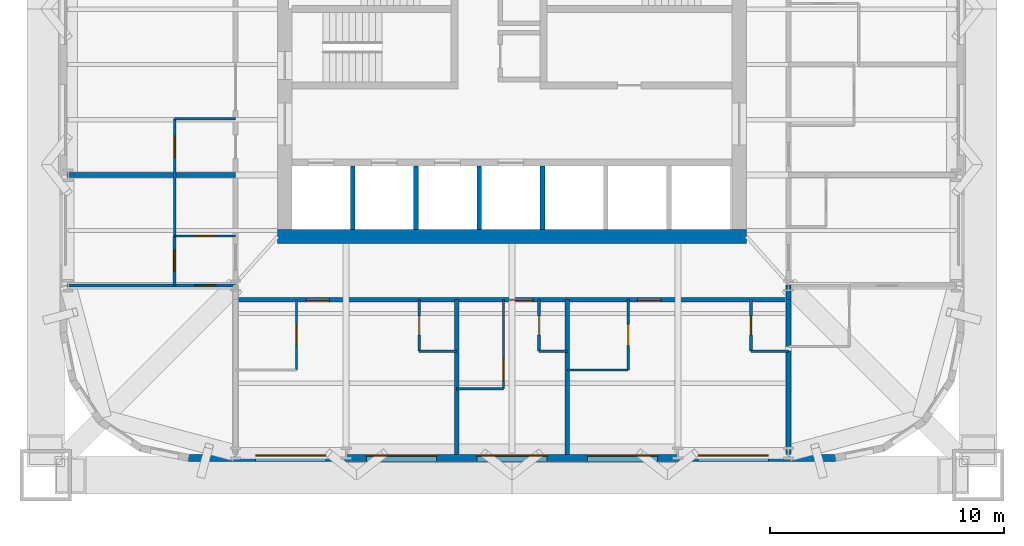
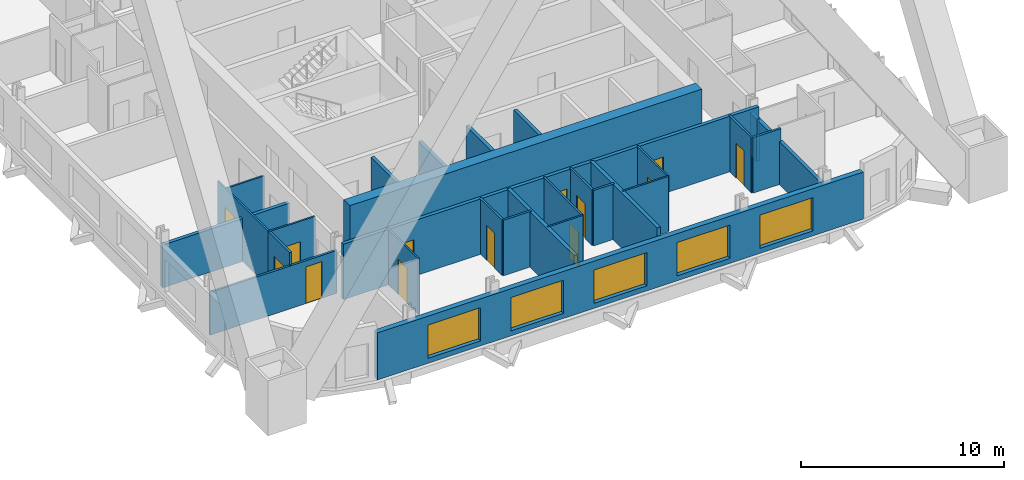
# One storey, part 3 of 9: 29 walls, 13 doors, 5 windows, 18 openings.
"""IFC4 building model written with IfcOpenShell, lengths in metres."""

import ifcopenshell
import ifcopenshell.guid

model = None  # the IFC model being written
_history = None  # IfcOwnerHistory: only IFC2X3 demands one
_inside = {}  # id of a spatial element -> (the spatial element, [elements in it])
_under = {}  # id of a project, library or spatial element -> (it, [spatial elements below it])
_declared = {}  # id of a project -> (the project, [libraries it declares])
_typed = {}  # id of a type object -> (the type object, [elements of that type])
_made_of = {}  # id of a material, layer set ... -> (it, [elements and type objects made of it])


def new_model(schema):
    """Start an empty IFC model of exactly this schema.

    Asked for "IFC4X3", IfcOpenShell would pick the latest addendum, in which some entities
    have other attributes; the version numbers below select the first issue.
    IFC2X3 requires an IfcOwnerHistory on every rooted entity: one is made here for all.
    """
    global model, _history
    if schema == "IFC4X3":
        model = ifcopenshell.file(schema_version=(4, 3, 0, 0))
    else:
        model = ifcopenshell.file(schema=schema)
    _inside.clear()
    _under.clear()
    _declared.clear()
    _typed.clear()
    _made_of.clear()
    _history = None
    if model.schema == "IFC2X3":
        org = make("IfcOrganization", Name="unknown")
        user = make(
            "IfcPersonAndOrganization",
            ThePerson=make("IfcPerson", FamilyName="unknown"),
            TheOrganization=org,
        )
        app = make(
            "IfcApplication",
            ApplicationDeveloper=org,
            Version="unknown",
            ApplicationFullName="unknown",
            ApplicationIdentifier="unknown",
        )
        _history = make(
            "IfcOwnerHistory",
            OwningUser=user,
            OwningApplication=app,
            ChangeAction="ADDED",
            CreationDate=0,
        )
    return model


def make(cls, **values):
    """One entity of the class cls with the attributes given. An attribute that is None is left unset."""
    return model.create_entity(
        cls, **{name: value for name, value in values.items() if value is not None}
    )


def rooted(cls, **values):
    """An entity with a GlobalId (a new one), such as an element, a storey or a relation."""
    return make(cls, GlobalId=ifcopenshell.guid.new(), OwnerHistory=_history, **values)


def si_unit(unit_type, name, prefix=None):
    """IfcSIUnit, for example si_unit("LENGTHUNIT", "METRE", prefix="MILLI")."""
    return make("IfcSIUnit", UnitType=unit_type, Prefix=prefix, Name=name)


def assignment(units):
    """IfcUnitAssignment: the units of a project."""
    return None if units is None else make("IfcUnitAssignment", Units=units)


def point(xyz):
    """IfcCartesianPoint."""
    return None if xyz is None else make("IfcCartesianPoint", Coordinates=xyz)


def direction(xyz):
    """IfcDirection."""
    return None if xyz is None else make("IfcDirection", DirectionRatios=xyz)


def frame(location, z_axis=None, x_axis=None):
    """IfcAxis2Placement3D, a coordinate frame: its origin and axes. An axis left out is left unset."""
    return make(
        "IfcAxis2Placement3D",
        Location=point(location),
        Axis=direction(z_axis),
        RefDirection=direction(x_axis),
    )


def frame_2d(location, x_axis=None):
    """IfcAxis2Placement2D, a coordinate frame in the plane: its origin and x axis."""
    return make(
        "IfcAxis2Placement2D", Location=point(location), RefDirection=direction(x_axis)
    )


def origin():
    """The frame at (0, 0, 0) with its axes left unset."""
    return frame((0.0, 0.0, 0.0))


def place(relative_to, where):
    """IfcLocalPlacement: puts the frame where relative to a parent placement (None: the world)."""
    return make(
        "IfcLocalPlacement", PlacementRelTo=relative_to, RelativePlacement=where
    )


def context(
    kind, dimensions, precision=None, world=None, true_north=None, identifier=None
):
    """IfcGeometricRepresentationContext, for example the 3D "Model" context."""
    return make(
        "IfcGeometricRepresentationContext",
        ContextIdentifier=identifier,
        ContextType=kind,
        CoordinateSpaceDimension=dimensions,
        Precision=precision,
        WorldCoordinateSystem=world,
        TrueNorth=true_north,
    )


def subcontext(parent, identifier, kind, view, scale=None):
    """IfcGeometricRepresentationSubContext, for example "Body" below "Model"."""
    return make(
        "IfcGeometricRepresentationSubContext",
        ContextIdentifier=identifier,
        ContextType=kind,
        ParentContext=parent,
        TargetScale=scale,
        TargetView=view,
    )


def project(units=None, contexts=None):
    """IfcProject with its units and contexts."""
    return rooted(
        "IfcProject",
        Name="project",
        RepresentationContexts=contexts,
        UnitsInContext=assignment(units),
    )


def spatial(cls, under=None, at=None, **own):
    """A site, building, storey or space (cls), placed at a placement, below another one or the project."""
    s = rooted(cls, ObjectPlacement=at, **own)
    if under is not None:
        _under.setdefault(under.id(), (under, []))[1].append(s)
    return s


def profile(cls, at=None, kind="AREA", **sizes):
    """A parametric profile (cls). Its sizes go by their IFC names, for example OverallWidth=200.0."""
    return make(cls, ProfileType=kind, Position=at, **sizes)


def rectangle(**sizes):
    """IfcRectangleProfileDef."""
    return profile("IfcRectangleProfileDef", **sizes)


def extrude(swept, where, along, depth):
    """IfcExtrudedAreaSolid: the profile swept, set in the frame where, extruded along a direction by depth."""
    return make(
        "IfcExtrudedAreaSolid",
        SweptArea=swept,
        Position=where,
        ExtrudedDirection=direction(along),
        Depth=depth,
    )


def shape(context_of_items, identifier, shape_type, items):
    """IfcShapeRepresentation: the items that make up one representation, for example the "Body"."""
    return make(
        "IfcShapeRepresentation",
        ContextOfItems=context_of_items,
        RepresentationIdentifier=identifier,
        RepresentationType=shape_type,
        Items=items,
    )


def material(Name=None, Category=None):
    """IfcMaterial."""
    return make("IfcMaterial", Name=Name, Category=Category)


def layer(
    of_material, thickness, ventilated=None, Name=None, Category=None, Priority=None
):
    """IfcMaterialLayer: one layer of a wall or slab, of a material (None: an air gap)."""
    return make(
        "IfcMaterialLayer",
        Material=of_material,
        LayerThickness=thickness,
        IsVentilated=ventilated,
        Name=Name,
        Category=Category,
        Priority=Priority,
    )


def layer_set(layers, Name=None):
    """IfcMaterialLayerSet."""
    return make("IfcMaterialLayerSet", MaterialLayers=layers, LayerSetName=Name)


def made_of(thing, what):
    """Note that an element or type object is made of a material, layer set ...; save() writes the relation."""
    if what is not None:
        _made_of.setdefault(what.id(), (what, []))[1].append(thing)
    return thing


def type_object(cls, material=None, **own):
    """A type object (cls), such as IfcWallType, which elements share."""
    return made_of(rooted(cls, **own), material)


def element(
    cls,
    number,
    at=None,
    inside=None,
    cuts=None,
    type_object=None,
    material=None,
    context=None,
    identifier="Body",
    shape_type=None,
    held_by="IfcProductDefinitionShape",
    body=None,
    shapes=None,
    **own,
):
    """One element of the class cls, such as IfcWall. Its Tag is "e" and its number.

    at: its placement. inside: the storey or other place that contains it. cuts: it is an
    opening in that element (IfcRelVoidsElement). A single representation is given by context,
    identifier, shape_type and body (its items); several are given by shapes. held_by: the class
    of the entity that holds the representations. save() writes the other relations.
    """
    e = rooted(cls, Tag="e%d" % number, ObjectPlacement=at, **own)
    if body is not None:
        shapes = [shape(context, identifier, shape_type, body)]
    if shapes is not None:
        e.Representation = make(held_by, Representations=shapes)
    if inside is not None:
        _inside.setdefault(inside.id(), (inside, []))[1].append(e)
    if cuts is not None:
        rooted(
            "IfcRelVoidsElement", RelatingBuildingElement=cuts, RelatedOpeningElement=e
        )
    if type_object is not None:
        _typed.setdefault(type_object.id(), (type_object, []))[1].append(e)
    return made_of(e, material)


def fill(opening, filler):
    """IfcRelFillsElement: the door or window that sits in an opening."""
    return rooted(
        "IfcRelFillsElement",
        RelatingOpeningElement=opening,
        RelatedBuildingElement=filler,
    )


def aggregate(whole, parts):
    """IfcRelAggregates: a whole, such as a stair, and the parts it consists of."""
    return rooted("IfcRelAggregates", RelatingObject=whole, RelatedObjects=parts)


def save(model, path):
    """Write the relations noted so far, then the file.

    IfcRelAggregates (storeys below a building ...), IfcRelContainedInSpatialStructure (elements
    in a storey), IfcRelDefinesByType, IfcRelAssociatesMaterial and IfcRelDeclares: one each for
    every whole, place, type object, material and project.
    """
    for whole, parts in _under.values():
        aggregate(whole, parts)
    for where, things in _inside.values():
        rooted(
            "IfcRelContainedInSpatialStructure",
            RelatedElements=things,
            RelatingStructure=where,
        )
    for kind, things in _typed.values():
        rooted("IfcRelDefinesByType", RelatedObjects=things, RelatingType=kind)
    for what, things in _made_of.values():
        rooted("IfcRelAssociatesMaterial", RelatedObjects=things, RelatingMaterial=what)
    for by, libraries in _declared.values():
        rooted("IfcRelDeclares", RelatingContext=by, RelatedDefinitions=libraries)
    model.write(path)


model = new_model("IFC4")

# Units and contexts
model_context = context("Model", 3, precision=1e-05, world=origin(), true_north=direction((0.0, 1.0)))
body_context = subcontext(model_context, "Body", "Model", "MODEL_VIEW")
ifc_project = project(units=[si_unit("LENGTHUNIT", "METRE"), si_unit("AREAUNIT", "SQUARE_METRE"), si_unit("VOLUMEUNIT", "CUBIC_METRE"), si_unit("PLANEANGLEUNIT", "RADIAN"), si_unit("MASSUNIT", "GRAM", prefix="KILO")], contexts=[model_context])

# Site, building, storey
site_placement = place(None, origin())
site = spatial("IfcSite", under=ifc_project, at=site_placement, CompositionType="ELEMENT")
building_placement = place(site_placement, origin())
building = spatial("IfcBuilding", under=site, at=building_placement, Name="Turquesa Mirador Hotel Tower", CompositionType="ELEMENT")
storey_placement = place(building_placement, frame((0.0, 0.0, 161.800048828125)))
storey = spatial("IfcBuildingStorey", under=building, at=storey_placement, Name="L43", CompositionType="ELEMENT", Elevation=161.800048828125)

# Walls
ifc_material_1 = material(Name="Gypsum board on steel studs", Category="steel")
ifc_layer_1 = layer(ifc_material_1, 0.10009765625)
ifc_layer_set_1 = layer_set([ifc_layer_1], Name="BATHROOM WALL 100")
wall_type_1 = type_object("IfcWallType", Name="BATHROOM WALL 100", PredefinedType="PARTITIONING", material=ifc_layer_set_1)
wall_1_placement = place(storey_placement, frame((57.360107421875, 29.60009765625, 0.0), z_axis=(0.0, 0.0, 1.0), x_axis=(1.0, 0.0, 0.0)))
element("IfcWall", 1, at=wall_1_placement, inside=storey, type_object=wall_type_1, Name="Partition L43 010", PredefinedType="PARTITIONING", context=body_context, shape_type="SweptSolid", body=[
    extrude(rectangle(XDim=2.599853515625, YDim=0.10009765625, at=frame_2d((1.2998046875, 0.0))), origin(), (0.0, 0.0, 1.0), 3.329833984375),
])
wall_2_placement = place(storey_placement, frame((52.639892578125, 28.800048828125, 0.0), z_axis=(0.0, 0.0, 1.0), x_axis=(1.0, 0.0, 0.0)))
element("IfcWall", 2, at=wall_2_placement, inside=storey, type_object=wall_type_1, Name="Partition L43 011", PredefinedType="PARTITIONING", context=body_context, shape_type="SweptSolid", body=[
    extrude(rectangle(XDim=2.0, YDim=0.10009765625, at=frame_2d((1.0, 0.0))), origin(), (0.0, 0.0, 1.0), 3.329833984375),
])
wall_3_placement = place(storey_placement, frame((40.60009765625, 40.320068359375, 0.0), z_axis=(0.0, 0.0, 1.0), x_axis=(1.0, 0.0, 0.0)))
element("IfcWall", 3, at=wall_3_placement, inside=storey, type_object=wall_type_1, Name="Partition L43 014", PredefinedType="PARTITIONING", context=body_context, shape_type="SweptSolid", body=[
    extrude(rectangle(XDim=2.599853515625, YDim=0.10009765625, at=frame_2d((1.2998046875, 0.0))), origin(), (0.0, 0.0, 1.0), 2.73046875),
])

# Wall, opening, door
wall_4_placement = place(storey_placement, frame((40.60009765625, 35.320068359375, 0.0), z_axis=(0.0, 0.0, 1.0), x_axis=(1.0, 0.0, 0.0)))
wall_4 = element("IfcWall", 4, at=wall_4_placement, inside=storey, type_object=wall_type_1, Name="Partition L43 019", PredefinedType="PARTITIONING", context=body_context, shape_type="SweptSolid", body=[
    extrude(rectangle(XDim=2.599853515625, YDim=0.10009765625, at=frame_2d((1.2998046875, 0.0))), origin(), (0.0, 0.0, 1.0), 3.329833984375),
])
opening_1_placement = place(wall_4_placement, frame((0.85009765625, 0.0, 0.0)))
opening_1 = element("IfcOpeningElement", 5, at=opening_1_placement, cuts=wall_4, Name="Opening D02", PredefinedType="OPENING", context=body_context, shape_type="SweptSolid", body=[
    extrude(rectangle(XDim=0.89990234375, YDim=2.10009765625, at=frame_2d((0.449951171875, 1.050048828125))), frame((0.0, 0.06005859375, 0.0), z_axis=(0.0, -1.0, 0.0), x_axis=(1.0, 0.0, 0.0)), (0.0, 0.0, 1.0), 0.1201171875),
])
ifc_material_2 = material(Name="Timber veneered door", Category="wood")
door_type_1 = type_object("IfcDoorType", Name="DOOR 900X2100 EN-SUITE", OperationType="SINGLE_SWING_RIGHT", PredefinedType="DOOR", material=ifc_material_2)
door_1_placement = place(opening_1_placement, origin())
door_1 = element("IfcDoor", 6, at=door_1_placement, inside=storey, type_object=door_type_1, Name="Door 4311B", OperationType="SINGLE_SWING_RIGHT", OverallHeight=2.10009765625, OverallWidth=0.89990234375, PredefinedType="DOOR", context=body_context, shape_type="SweptSolid", body=[
    extrude(rectangle(XDim=0.89990234375, YDim=2.10009765625, at=frame_2d((0.449951171875, 1.050048828125))), frame((0.0, 0.02490234375, 0.0), z_axis=(0.0, -1.0, 0.0), x_axis=(1.0, 0.0, 0.0)), (0.0, 0.0, 1.0), 0.050048828125),
])
fill(opening_1, door_1)

wall_5_placement = place(storey_placement, frame((54.639892578125, 28.800048828125, 0.0), z_axis=(0.0, 0.0, 1.0), x_axis=(0.0, 1.0, 0.0)))
wall_5 = element("IfcWall", 7, at=wall_5_placement, inside=storey, type_object=wall_type_1, Name="Partition L43 040", PredefinedType="PARTITIONING", context=body_context, shape_type="SweptSolid", body=[
    extrude(rectangle(XDim=3.800048828125, YDim=0.10009765625, at=frame_2d((1.89990234375, 0.0))), origin(), (0.0, 0.0, 1.0), 3.329833984375),
])
opening_2_placement = place(wall_5_placement, frame((0.35009765625, 0.0, 0.0)))
opening_2 = element("IfcOpeningElement", 8, at=opening_2_placement, cuts=wall_5, Name="Opening D02", PredefinedType="OPENING", context=body_context, shape_type="SweptSolid", body=[
    extrude(rectangle(XDim=0.89990234375, YDim=2.10009765625, at=frame_2d((0.449951171875, 1.050048828125))), frame((0.0, 0.06005859375, 0.0), z_axis=(0.0, -1.0, 0.0), x_axis=(1.0, 0.0, 0.0)), (0.0, 0.0, 1.0), 0.1201171875),
])
door_2_placement = place(opening_2_placement, origin())
door_2 = element("IfcDoor", 9, at=door_2_placement, inside=storey, type_object=door_type_1, Name="Door 4304B", OperationType="SINGLE_SWING_RIGHT", OverallHeight=2.10009765625, OverallWidth=0.89990234375, PredefinedType="DOOR", context=body_context, shape_type="SweptSolid", body=[
    extrude(rectangle(XDim=0.89990234375, YDim=2.10009765625, at=frame_2d((0.449951171875, 1.050048828125))), frame((0.0, 0.02490234375, 0.0), z_axis=(0.0, -1.0, 0.0), x_axis=(1.0, 0.0, 0.0)), (0.0, 0.0, 1.0), 0.050048828125),
])
fill(opening_2, door_2)

wall_6_placement = place(storey_placement, frame((40.60009765625, 35.320068359375, 0.0), z_axis=(0.0, 0.0, 1.0), x_axis=(0.0, 1.0, 0.0)))
wall_6 = element("IfcWall", 10, at=wall_6_placement, inside=storey, type_object=wall_type_1, Name="Partition L43 046", PredefinedType="PARTITIONING", context=body_context, shape_type="SweptSolid", body=[
    extrude(rectangle(XDim=5.0, YDim=0.10009765625, at=frame_2d((2.5, 0.0))), origin(), (0.0, 0.0, 1.0), 3.329833984375),
])
opening_3_placement = place(wall_6_placement, frame((3.35009765625, 0.0, 0.0)))
opening_3 = element("IfcOpeningElement", 11, at=opening_3_placement, cuts=wall_6, Name="Opening D17", PredefinedType="OPENING", context=body_context, shape_type="SweptSolid", body=[
    extrude(rectangle(XDim=0.89990234375, YDim=2.199951171875, at=frame_2d((0.449951171875, 1.10009765625))), frame((0.0, 0.06005859375, 0.0), z_axis=(0.0, -1.0, 0.0), x_axis=(1.0, 0.0, 0.0)), (0.0, 0.0, 1.0), 0.1201171875),
])
ifc_material_3 = material(Name="Timber veneered door", Category="wood")
door_type_2 = type_object("IfcDoorType", Name="DOOR 900X2200 SUITE INTERNAL", OperationType="SINGLE_SWING_LEFT", PredefinedType="DOOR", material=ifc_material_3)
door_3_placement = place(opening_3_placement, origin())
door_3 = element("IfcDoor", 12, at=door_3_placement, inside=storey, type_object=door_type_2, Name="Door L43-LGP", OperationType="SINGLE_SWING_LEFT", OverallHeight=2.199951171875, OverallWidth=0.89990234375, PredefinedType="DOOR", context=body_context, shape_type="SweptSolid", body=[
    extrude(rectangle(XDim=0.89990234375, YDim=2.199951171875, at=frame_2d((0.449951171875, 1.10009765625))), frame((0.0, 0.02490234375, 0.0), z_axis=(0.0, -1.0, 0.0), x_axis=(1.0, 0.0, 0.0)), (0.0, 0.0, 1.0), 0.050048828125),
])
fill(opening_3, door_3)

wall_7_placement = place(storey_placement, frame((45.800048828125, 29.60009765625, 0.0), z_axis=(0.0, 0.0, 1.0), x_axis=(0.0, 1.0, 0.0)))
wall_7 = element("IfcWall", 13, at=wall_7_placement, inside=storey, type_object=wall_type_1, Name="Partition L43 054", PredefinedType="PARTITIONING", context=body_context, shape_type="SweptSolid", body=[
    extrude(rectangle(XDim=3.0, YDim=0.10009765625, at=frame_2d((1.5, 0.0))), origin(), (0.0, 0.0, 1.0), 3.329833984375),
])
opening_4_placement = place(wall_7_placement, frame((1.050048828125, 0.0, 0.0)))
opening_4 = element("IfcOpeningElement", 14, at=opening_4_placement, cuts=wall_7, Name="Opening D02", PredefinedType="OPENING", context=body_context, shape_type="SweptSolid", body=[
    extrude(rectangle(XDim=0.89990234375, YDim=2.10009765625, at=frame_2d((0.449951171875, 1.050048828125))), frame((0.0, 0.06005859375, 0.0), z_axis=(0.0, -1.0, 0.0), x_axis=(1.0, 0.0, 0.0)), (0.0, 0.0, 1.0), 0.1201171875),
])
door_4_placement = place(opening_4_placement, origin())
door_4 = element("IfcDoor", 15, at=door_4_placement, inside=storey, type_object=door_type_1, Name="Door 4303B", OperationType="SINGLE_SWING_RIGHT", OverallHeight=2.10009765625, OverallWidth=0.89990234375, PredefinedType="DOOR", context=body_context, shape_type="SweptSolid", body=[
    extrude(rectangle(XDim=0.89990234375, YDim=2.10009765625, at=frame_2d((0.449951171875, 1.050048828125))), frame((0.0, 0.02490234375, 0.0), z_axis=(0.0, -1.0, 0.0), x_axis=(1.0, 0.0, 0.0)), (0.0, 0.0, 1.0), 0.050048828125),
])
fill(opening_4, door_4)

wall_8_placement = place(storey_placement, frame((59.9599609375, 29.60009765625, 0.0), z_axis=(0.0, 0.0, 1.0), x_axis=(0.0, 1.0, 0.0)))
wall_8 = element("IfcWall", 16, at=wall_8_placement, inside=storey, type_object=wall_type_1, Name="Partition L43 071", PredefinedType="PARTITIONING", context=body_context, shape_type="SweptSolid", body=[
    extrude(rectangle(XDim=3.0, YDim=0.10009765625, at=frame_2d((1.5, 0.0))), origin(), (0.0, 0.0, 1.0), 3.329833984375),
])
opening_5_placement = place(wall_8_placement, frame((1.050048828125, 0.0, 0.0)))
opening_5 = element("IfcOpeningElement", 17, at=opening_5_placement, cuts=wall_8, Name="Opening D02", PredefinedType="OPENING", context=body_context, shape_type="SweptSolid", body=[
    extrude(rectangle(XDim=0.89990234375, YDim=2.10009765625, at=frame_2d((0.449951171875, 1.050048828125))), frame((0.0, 0.06005859375, 0.0), z_axis=(0.0, -1.0, 0.0), x_axis=(1.0, 0.0, 0.0)), (0.0, 0.0, 1.0), 0.1201171875),
])
door_5_placement = place(opening_5_placement, origin())
door_5 = element("IfcDoor", 18, at=door_5_placement, inside=storey, type_object=door_type_1, Name="Door 4305B", OperationType="SINGLE_SWING_RIGHT", OverallHeight=2.10009765625, OverallWidth=0.89990234375, PredefinedType="DOOR", context=body_context, shape_type="SweptSolid", body=[
    extrude(rectangle(XDim=0.89990234375, YDim=2.10009765625, at=frame_2d((0.449951171875, 1.050048828125))), frame((0.0, 0.02490234375, 0.0), z_axis=(0.0, -1.0, 0.0), x_axis=(1.0, 0.0, 0.0)), (0.0, 0.0, 1.0), 0.050048828125),
])
fill(opening_5, door_5)

# Wall
ifc_material_4 = material(Name="Concrete C50/60", Category="concrete")
ifc_layer_2 = layer(ifc_material_4, 0.60009765625)
ifc_layer_set_2 = layer_set([ifc_layer_2], Name="CORE WALL 600")
wall_type_2 = type_object("IfcWallType", Name="CORE WALL 600", PredefinedType="SHEAR", material=ifc_layer_set_2)
wall_9_placement = place(storey_placement, frame((45.0, 35.300048828125, 0.0), z_axis=(0.0, 0.0, 1.0), x_axis=(1.0, 0.0, 0.0)))
element("IfcWall", 19, at=wall_9_placement, inside=storey, type_object=wall_type_2, Name="Core wall S", PredefinedType="SHEAR", context=body_context, shape_type="SweptSolid", body=[
    extrude(rectangle(XDim=20.0, YDim=0.60009765625, at=frame_2d((10.0, 0.0))), origin(), (0.0, 0.0, 1.0), 3.5),
])

# Wall, openings, doors
ifc_material_5 = material(Name="Fire-rated gypsum board on steel studs", Category="steel")
ifc_layer_3 = layer(ifc_material_5, 0.199951171875)
ifc_layer_set_3 = layer_set([ifc_layer_3], Name="CORRIDOR WALL 200")
wall_type_3 = type_object("IfcWallType", Name="CORRIDOR WALL 200", PredefinedType="PARTITIONING", material=ifc_layer_set_3)
wall_10_placement = place(storey_placement, frame((43.199951171875, 32.60009765625, 0.0), z_axis=(0.0, 0.0, 1.0), x_axis=(1.0, 0.0, 0.0)))
wall_10 = element("IfcWall", 20, at=wall_10_placement, inside=storey, type_object=wall_type_3, Name="Partition L43 004", PredefinedType="PARTITIONING", context=body_context, shape_type="SweptSolid", body=[
    extrude(rectangle(XDim=23.60009765625, YDim=0.199951171875, at=frame_2d((11.800048828125, 0.0))), origin(), (0.0, 0.0, 1.0), 3.329833984375),
])
opening_6_placement = place(wall_10_placement, frame((3.0, 0.0, 0.0)))
opening_6 = element("IfcOpeningElement", 21, at=opening_6_placement, cuts=wall_10, Name="Opening D01", PredefinedType="OPENING", context=body_context, shape_type="SweptSolid", body=[
    extrude(rectangle(XDim=1.0, YDim=2.199951171875, at=frame_2d((0.5, 1.10009765625))), frame((0.0, 0.10986328125, 0.0), z_axis=(0.0, -1.0, 0.0), x_axis=(1.0, 0.0, 0.0)), (0.0, 0.0, 1.0), 0.219970703125),
])
opening_7_placement = place(wall_10_placement, frame((11.699951171875, 0.0, 0.0)))
opening_7 = element("IfcOpeningElement", 22, at=opening_7_placement, cuts=wall_10, Name="Opening D01", PredefinedType="OPENING", context=body_context, shape_type="SweptSolid", body=[
    extrude(rectangle(XDim=1.0, YDim=2.199951171875, at=frame_2d((0.5, 1.10009765625))), frame((0.0, 0.10986328125, 0.0), z_axis=(0.0, -1.0, 0.0), x_axis=(1.0, 0.0, 0.0)), (0.0, 0.0, 1.0), 0.219970703125),
])
opening_8_placement = place(wall_10_placement, frame((17.159912109375, 0.0, 0.0)))
opening_8 = element("IfcOpeningElement", 23, at=opening_8_placement, cuts=wall_10, Name="Opening D01", PredefinedType="OPENING", context=body_context, shape_type="SweptSolid", body=[
    extrude(rectangle(XDim=1.0, YDim=2.199951171875, at=frame_2d((0.5, 1.10009765625))), frame((0.0, 0.10986328125, 0.0), z_axis=(0.0, -1.0, 0.0), x_axis=(1.0, 0.0, 0.0)), (0.0, 0.0, 1.0), 0.219970703125),
])
ifc_material_6 = material(Name="Timber veneered fire door", Category="wood")
door_type_3 = type_object("IfcDoorType", Name="DOOR 1000X2200 GUEST ENTRY", OperationType="SINGLE_SWING_LEFT", PredefinedType="DOOR", material=ifc_material_6)
door_6_placement = place(opening_6_placement, origin())
door_6 = element("IfcDoor", 24, at=door_6_placement, inside=storey, type_object=door_type_3, Name="Door 4303", OperationType="SINGLE_SWING_LEFT", OverallHeight=2.199951171875, OverallWidth=1.0, PredefinedType="DOOR", context=body_context, shape_type="SweptSolid", body=[
    extrude(rectangle(XDim=1.0, YDim=2.199951171875, at=frame_2d((0.5, 1.10009765625))), frame((0.0, 0.02490234375, 0.0), z_axis=(0.0, -1.0, 0.0), x_axis=(1.0, 0.0, 0.0)), (0.0, 0.0, 1.0), 0.050048828125),
])
fill(opening_6, door_6)
door_7_placement = place(opening_7_placement, origin())
door_7 = element("IfcDoor", 25, at=door_7_placement, inside=storey, type_object=door_type_3, Name="Door 4304", OperationType="SINGLE_SWING_LEFT", OverallHeight=2.199951171875, OverallWidth=1.0, PredefinedType="DOOR", context=body_context, shape_type="SweptSolid", body=[
    extrude(rectangle(XDim=1.0, YDim=2.199951171875, at=frame_2d((0.5, 1.10009765625))), frame((0.0, 0.02490234375, 0.0), z_axis=(0.0, -1.0, 0.0), x_axis=(1.0, 0.0, 0.0)), (0.0, 0.0, 1.0), 0.050048828125),
])
fill(opening_7, door_7)
door_8_placement = place(opening_8_placement, origin())
door_8 = element("IfcDoor", 26, at=door_8_placement, inside=storey, type_object=door_type_3, Name="Door 4305", OperationType="SINGLE_SWING_LEFT", OverallHeight=2.199951171875, OverallWidth=1.0, PredefinedType="DOOR", context=body_context, shape_type="SweptSolid", body=[
    extrude(rectangle(XDim=1.0, YDim=2.199951171875, at=frame_2d((0.5, 1.10009765625))), frame((0.0, 0.02490234375, 0.0), z_axis=(0.0, -1.0, 0.0), x_axis=(1.0, 0.0, 0.0)), (0.0, 0.0, 1.0), 0.050048828125),
])
fill(opening_8, door_8)

# Wall
wall_11_placement = place(storey_placement, frame((66.800048828125, 32.60009765625, 0.0), z_axis=(0.0, 0.0, 1.0), x_axis=(0.0, 1.0, 0.0)))
element("IfcWall", 27, at=wall_11_placement, inside=storey, type_object=wall_type_3, Name="Partition L43 075", PredefinedType="PARTITIONING", context=body_context, shape_type="SweptSolid", body=[
    extrude(rectangle(XDim=0.619873046875, YDim=0.199951171875, at=frame_2d((0.31005859375, 0.0))), origin(), (0.0, 0.0, 1.0), 2.572998046875),
])

# Wall, openings, windows
ifc_material_7 = material(Name="Limestone cladding on concrete block", Category="masonry")
ifc_layer_4 = layer(ifc_material_7, 0.300048828125)
ifc_layer_set_4 = layer_set([ifc_layer_4], Name="FACADE WALL 300 STONE SCREEN")
wall_type_4 = type_object("IfcWallType", Name="FACADE WALL 300 STONE SCREEN", PredefinedType="SOLIDWALL", material=ifc_layer_set_4)
wall_12_placement = place(storey_placement, frame((41.199951171875, 25.85009765625, 0.0), z_axis=(0.0, 0.0, 1.0), x_axis=(1.0, 0.0, 0.0)))
wall_12 = element("IfcWall", 28, at=wall_12_placement, inside=storey, type_object=wall_type_4, Name="Facade wall L43 19", PredefinedType="SOLIDWALL", context=body_context, shape_type="SweptSolid", body=[
    extrude(rectangle(XDim=27.60009765625, YDim=0.300048828125, at=frame_2d((13.800048828125, 0.0))), origin(), (0.0, 0.0, 1.0), 2.829833984375),
])
opening_9_placement = place(wall_12_placement, frame((2.860107421875, 0.0, 0.300048828125)))
opening_9 = element("IfcOpeningElement", 29, at=opening_9_placement, cuts=wall_12, Name="Opening WN1", PredefinedType="OPENING", context=body_context, shape_type="SweptSolid", body=[
    extrude(rectangle(XDim=3.0, YDim=2.0, at=frame_2d((1.5, 1.0))), frame((0.0, 0.159912109375, 0.0), z_axis=(0.0, -1.0, 0.0), x_axis=(1.0, 0.0, 0.0)), (0.0, 0.0, 1.0), 0.320068359375),
])
opening_10_placement = place(wall_12_placement, frame((7.580078125, 0.0, 0.300048828125)))
opening_10 = element("IfcOpeningElement", 30, at=opening_10_placement, cuts=wall_12, Name="Opening WN1", PredefinedType="OPENING", context=body_context, shape_type="SweptSolid", body=[
    extrude(rectangle(XDim=3.0, YDim=2.0, at=frame_2d((1.5, 1.0))), frame((0.0, 0.159912109375, 0.0), z_axis=(0.0, -1.0, 0.0), x_axis=(1.0, 0.0, 0.0)), (0.0, 0.0, 1.0), 0.320068359375),
])
opening_11_placement = place(wall_12_placement, frame((12.300048828125, 0.0, 0.300048828125)))
opening_11 = element("IfcOpeningElement", 31, at=opening_11_placement, cuts=wall_12, Name="Opening WN1", PredefinedType="OPENING", context=body_context, shape_type="SweptSolid", body=[
    extrude(rectangle(XDim=3.0, YDim=2.0, at=frame_2d((1.5, 1.0))), frame((0.0, 0.159912109375, 0.0), z_axis=(0.0, -1.0, 0.0), x_axis=(1.0, 0.0, 0.0)), (0.0, 0.0, 1.0), 0.320068359375),
])
opening_12_placement = place(wall_12_placement, frame((17.02001953125, 0.0, 0.300048828125)))
opening_12 = element("IfcOpeningElement", 32, at=opening_12_placement, cuts=wall_12, Name="Opening WN1", PredefinedType="OPENING", context=body_context, shape_type="SweptSolid", body=[
    extrude(rectangle(XDim=3.0, YDim=2.0, at=frame_2d((1.5, 1.0))), frame((0.0, 0.159912109375, 0.0), z_axis=(0.0, -1.0, 0.0), x_axis=(1.0, 0.0, 0.0)), (0.0, 0.0, 1.0), 0.320068359375),
])
opening_13_placement = place(wall_12_placement, frame((21.739990234375, 0.0, 0.300048828125)))
opening_13 = element("IfcOpeningElement", 33, at=opening_13_placement, cuts=wall_12, Name="Opening WN1", PredefinedType="OPENING", context=body_context, shape_type="SweptSolid", body=[
    extrude(rectangle(XDim=3.0, YDim=2.0, at=frame_2d((1.5, 1.0))), frame((0.0, 0.159912109375, 0.0), z_axis=(0.0, -1.0, 0.0), x_axis=(1.0, 0.0, 0.0)), (0.0, 0.0, 1.0), 0.320068359375),
])
ifc_material_8 = material(Name="Ceramic-fritted laminated glass", Category="glass")
window_type = type_object("IfcWindowType", Name="FRITTED WINDOW 3000X2000", PartitioningType="DOUBLE_PANEL_HORIZONTAL", PredefinedType="WINDOW", material=ifc_material_8)
window_1_placement = place(opening_9_placement, origin())
window_1 = element("IfcWindow", 34, at=window_1_placement, inside=storey, type_object=window_type, Name="Window L43", OverallHeight=2.0, OverallWidth=3.0, PartitioningType="SINGLE_PANEL", PredefinedType="WINDOW", context=body_context, shape_type="SweptSolid", body=[
    extrude(rectangle(XDim=3.0, YDim=2.0, at=frame_2d((1.5, 1.0))), frame((0.0, 0.130126953125, 0.0), z_axis=(0.0, -1.0, 0.0), x_axis=(1.0, 0.0, 0.0)), (0.0, 0.0, 1.0), 0.06005859375),
])
fill(opening_9, window_1)
window_2_placement = place(opening_10_placement, origin())
window_2 = element("IfcWindow", 35, at=window_2_placement, inside=storey, type_object=window_type, Name="Window L43", OverallHeight=2.0, OverallWidth=3.0, PartitioningType="SINGLE_PANEL", PredefinedType="WINDOW", context=body_context, shape_type="SweptSolid", body=[
    extrude(rectangle(XDim=3.0, YDim=2.0, at=frame_2d((1.5, 1.0))), frame((0.0, 0.130126953125, 0.0), z_axis=(0.0, -1.0, 0.0), x_axis=(1.0, 0.0, 0.0)), (0.0, 0.0, 1.0), 0.06005859375),
])
fill(opening_10, window_2)
window_3_placement = place(opening_11_placement, origin())
window_3 = element("IfcWindow", 36, at=window_3_placement, inside=storey, type_object=window_type, Name="Window L43", OverallHeight=2.0, OverallWidth=3.0, PartitioningType="SINGLE_PANEL", PredefinedType="WINDOW", context=body_context, shape_type="SweptSolid", body=[
    extrude(rectangle(XDim=3.0, YDim=2.0, at=frame_2d((1.5, 1.0))), frame((0.0, 0.130126953125, 0.0), z_axis=(0.0, -1.0, 0.0), x_axis=(1.0, 0.0, 0.0)), (0.0, 0.0, 1.0), 0.06005859375),
])
fill(opening_11, window_3)
window_4_placement = place(opening_12_placement, origin())
window_4 = element("IfcWindow", 37, at=window_4_placement, inside=storey, type_object=window_type, Name="Window L43", OverallHeight=2.0, OverallWidth=3.0, PartitioningType="SINGLE_PANEL", PredefinedType="WINDOW", context=body_context, shape_type="SweptSolid", body=[
    extrude(rectangle(XDim=3.0, YDim=2.0, at=frame_2d((1.5, 1.0))), frame((0.0, 0.130126953125, 0.0), z_axis=(0.0, -1.0, 0.0), x_axis=(1.0, 0.0, 0.0)), (0.0, 0.0, 1.0), 0.06005859375),
])
fill(opening_12, window_4)
window_5_placement = place(opening_13_placement, origin())
window_5 = element("IfcWindow", 38, at=window_5_placement, inside=storey, type_object=window_type, Name="Window L43", OverallHeight=2.0, OverallWidth=3.0, PartitioningType="SINGLE_PANEL", PredefinedType="WINDOW", context=body_context, shape_type="SweptSolid", body=[
    extrude(rectangle(XDim=3.0, YDim=2.0, at=frame_2d((1.5, 1.0))), frame((0.0, 0.130126953125, 0.0), z_axis=(0.0, -1.0, 0.0), x_axis=(1.0, 0.0, 0.0)), (0.0, 0.0, 1.0), 0.06005859375),
])
fill(opening_13, window_5)

# Walls
ifc_material_9 = material(Name="Fire-rated gypsum shaft wall on steel studs", Category="steel")
ifc_layer_5 = layer(ifc_material_9, 0.199951171875)
ifc_layer_set_5 = layer_set([ifc_layer_5], Name="LIFT SHAFT DIVIDER 200")
wall_type_5 = type_object("IfcWallType", Name="LIFT SHAFT DIVIDER 200", PredefinedType="PARTITIONING", material=ifc_layer_set_5)
for number, where, z_axis, x_axis, name in (
    (39, (48.199951171875, 35.60009765625, 0.0), (0.0, 0.0, 1.0), (0.0, 1.0, 0.0), "Lift shaft divider"),
    (40, (50.89990234375, 35.60009765625, 0.0), (0.0, 0.0, 1.0), (0.0, 1.0, 0.0), "Lift shaft divider"),
    (41, (53.60009765625, 35.60009765625, 0.0), (0.0, 0.0, 1.0), (0.0, 1.0, 0.0), "Lift shaft divider"),
    (42, (56.300048828125, 35.60009765625, 0.0), (0.0, 0.0, 1.0), (0.0, 1.0, 0.0), "Lift shaft divider"),
):
    element("IfcWall", number, at=place(storey_placement, frame(where, z_axis=z_axis, x_axis=x_axis)), inside=storey, type_object=wall_type_5, Name=name, PredefinedType="PARTITIONING", context=body_context, shape_type="SweptSolid", body=[
        extrude(rectangle(XDim=2.699951171875, YDim=0.199951171875, at=frame_2d((1.35009765625, 0.0))), origin(), (0.0, 0.0, 1.0), 3.329833984375),
    ])
ifc_material_10 = material(Name="Fire-rated gypsum board on steel studs", Category="steel")
ifc_layer_6 = layer(ifc_material_10, 0.199951171875)
ifc_layer_set_6 = layer_set([ifc_layer_6], Name="PARTY WALL 200")
wall_type_6 = type_object("IfcWallType", Name="PARTY WALL 200", PredefinedType="PARTITIONING", material=ifc_layer_set_6)
wall_13_placement = place(storey_placement, frame((36.0, 37.919921875, 0.0), z_axis=(0.0, 0.0, 1.0), x_axis=(1.0, 0.0, 0.0)))
element("IfcWall", 43, at=wall_13_placement, inside=storey, type_object=wall_type_6, Name="Partition L43 016", PredefinedType="PARTITIONING", context=body_context, shape_type="SweptSolid", body=[
    extrude(rectangle(XDim=7.199951171875, YDim=0.199951171875, at=frame_2d((3.60009765625, 0.0))), origin(), (0.0, 0.0, 1.0), 2.572998046875),
])
wall_14_placement = place(storey_placement, frame((52.639892578125, 26.0, 0.0), z_axis=(0.0, 0.0, 1.0), x_axis=(0.0, 1.0, 0.0)))
element("IfcWall", 44, at=wall_14_placement, inside=storey, type_object=wall_type_6, Name="Partition L43 051", PredefinedType="PARTITIONING", context=body_context, shape_type="SweptSolid", body=[
    extrude(rectangle(XDim=6.60009765625, YDim=0.199951171875, at=frame_2d((3.300048828125, 0.0))), origin(), (0.0, 0.0, 1.0), 3.329833984375),
])
wall_15_placement = place(storey_placement, frame((66.800048828125, 26.0, 0.0), z_axis=(0.0, 0.0, 1.0), x_axis=(0.0, 1.0, 0.0)))
element("IfcWall", 45, at=wall_15_placement, inside=storey, type_object=wall_type_6, Name="Partition L43 059", PredefinedType="PARTITIONING", context=body_context, shape_type="SweptSolid", body=[
    extrude(rectangle(XDim=4.39990234375, YDim=0.199951171875, at=frame_2d((2.199951171875, 0.0))), origin(), (0.0, 0.0, 1.0), 2.572998046875),
])
wall_16_placement = place(storey_placement, frame((66.800048828125, 30.60009765625, 0.0), z_axis=(0.0, 0.0, 1.0), x_axis=(0.0, 1.0, 0.0)))
element("IfcWall", 46, at=wall_16_placement, inside=storey, type_object=wall_type_6, Name="Partition L43 060", PredefinedType="PARTITIONING", context=body_context, shape_type="SweptSolid", body=[
    extrude(rectangle(XDim=2.0, YDim=0.199951171875, at=frame_2d((1.0, 0.0))), origin(), (0.0, 0.0, 1.0), 2.572998046875),
])
wall_17_placement = place(storey_placement, frame((57.360107421875, 26.0, 0.0), z_axis=(0.0, 0.0, 1.0), x_axis=(0.0, 1.0, 0.0)))
element("IfcWall", 47, at=wall_17_placement, inside=storey, type_object=wall_type_6, Name="Partition L43 069", PredefinedType="PARTITIONING", context=body_context, shape_type="SweptSolid", body=[
    extrude(rectangle(XDim=6.60009765625, YDim=0.199951171875, at=frame_2d((3.300048828125, 0.0))), origin(), (0.0, 0.0, 1.0), 3.329833984375),
])

# Wall, opening, door
ifc_material_11 = material(Name="Acoustic gypsum board on steel studs", Category="steel")
ifc_layer_7 = layer(ifc_material_11, 0.125)
ifc_layer_set_7 = layer_set([ifc_layer_7], Name="SUITE PARTITION 125")
wall_type_7 = type_object("IfcWallType", Name="SUITE PARTITION 125", PredefinedType="PARTITIONING", material=ifc_layer_set_7)
wall_18_placement = place(storey_placement, frame((36.0, 33.199951171875, 0.0), z_axis=(0.0, 0.0, 1.0), x_axis=(1.0, 0.0, 0.0)))
wall_18 = element("IfcWall", 48, at=wall_18_placement, inside=storey, type_object=wall_type_7, Name="Partition L43 002", PredefinedType="PARTITIONING", context=body_context, shape_type="SweptSolid", body=[
    extrude(rectangle(XDim=7.199951171875, YDim=0.125, at=frame_2d((3.60009765625, 0.0))), origin(), (0.0, 0.0, 1.0), 2.572998046875),
])
opening_14_placement = place(wall_18_placement, frame((5.449951171875, 0.0, 0.0)))
opening_14 = element("IfcOpeningElement", 49, at=opening_14_placement, cuts=wall_18, Name="Opening D17", PredefinedType="OPENING", context=body_context, shape_type="SweptSolid", body=[
    extrude(rectangle(XDim=0.89990234375, YDim=2.199951171875, at=frame_2d((0.449951171875, 1.10009765625))), frame((0.0, 0.072509765625, 0.0), z_axis=(0.0, -1.0, 0.0), x_axis=(1.0, 0.0, 0.0)), (0.0, 0.0, 1.0), 0.14501953125),
])
door_9_placement = place(opening_14_placement, origin())
door_9 = element("IfcDoor", 50, at=door_9_placement, inside=storey, type_object=door_type_2, Name="Door 4311", OperationType="SINGLE_SWING_LEFT", OverallHeight=2.199951171875, OverallWidth=0.89990234375, PredefinedType="DOOR", context=body_context, shape_type="SweptSolid", body=[
    extrude(rectangle(XDim=0.89990234375, YDim=2.199951171875, at=frame_2d((0.449951171875, 1.10009765625))), frame((0.0, 0.02490234375, 0.0), z_axis=(0.0, -1.0, 0.0), x_axis=(1.0, 0.0, 0.0)), (0.0, 0.0, 1.0), 0.050048828125),
])
fill(opening_14, door_9)

# Walls
wall_19_placement = place(storey_placement, frame((51.0400390625, 30.39990234375, 0.0), z_axis=(0.0, 0.0, 1.0), x_axis=(1.0, 0.0, 0.0)))
element("IfcWall", 51, at=wall_19_placement, inside=storey, type_object=wall_type_7, Name="Partition L43 006", PredefinedType="PARTITIONING", context=body_context, shape_type="SweptSolid", body=[
    extrude(rectangle(XDim=1.599853515625, YDim=0.125, at=frame_2d((0.7998046875, 0.0))), origin(), (0.0, 0.0, 1.0), 3.329833984375),
])
wall_20_placement = place(storey_placement, frame((56.159912109375, 30.39990234375, 0.0), z_axis=(0.0, 0.0, 1.0), x_axis=(1.0, 0.0, 0.0)))
element("IfcWall", 52, at=wall_20_placement, inside=storey, type_object=wall_type_7, Name="Partition L43 007", PredefinedType="PARTITIONING", context=body_context, shape_type="SweptSolid", body=[
    extrude(rectangle(XDim=1.2001953125, YDim=0.125, at=frame_2d((0.60009765625, 0.0))), origin(), (0.0, 0.0, 1.0), 3.329833984375),
])
wall_21_placement = place(storey_placement, frame((65.199951171875, 30.39990234375, 0.0), z_axis=(0.0, 0.0, 1.0), x_axis=(1.0, 0.0, 0.0)))
element("IfcWall", 53, at=wall_21_placement, inside=storey, type_object=wall_type_7, Name="Partition L43 008", PredefinedType="PARTITIONING", context=body_context, shape_type="SweptSolid", body=[
    extrude(rectangle(XDim=1.60009765625, YDim=0.125, at=frame_2d((0.800048828125, 0.0))), origin(), (0.0, 0.0, 1.0), 3.329833984375),
])

# Wall, opening, door
wall_22_placement = place(storey_placement, frame((40.60009765625, 33.199951171875, 0.0), z_axis=(0.0, 0.0, 1.0), x_axis=(0.0, 1.0, 0.0)))
wall_22 = element("IfcWall", 54, at=wall_22_placement, inside=storey, type_object=wall_type_7, Name="Partition L43 048", PredefinedType="PARTITIONING", context=body_context, shape_type="SweptSolid", body=[
    extrude(rectangle(XDim=2.1201171875, YDim=0.125, at=frame_2d((1.06005859375, 0.0))), origin(), (0.0, 0.0, 1.0), 3.329833984375),
])
opening_15_placement = place(wall_22_placement, frame((0.610107421875, 0.0, 0.0)))
opening_15 = element("IfcOpeningElement", 55, at=opening_15_placement, cuts=wall_22, Name="Opening D17", PredefinedType="OPENING", context=body_context, shape_type="SweptSolid", body=[
    extrude(rectangle(XDim=0.89990234375, YDim=2.199951171875, at=frame_2d((0.449951171875, 1.10009765625))), frame((0.0, 0.072509765625, 0.0), z_axis=(0.0, -1.0, 0.0), x_axis=(1.0, 0.0, 0.0)), (0.0, 0.0, 1.0), 0.14501953125),
])
door_10_placement = place(opening_15_placement, origin())
door_10 = element("IfcDoor", 56, at=door_10_placement, inside=storey, type_object=door_type_2, Name="Door 4311R", OperationType="SINGLE_SWING_LEFT", OverallHeight=2.199951171875, OverallWidth=0.89990234375, PredefinedType="DOOR", context=body_context, shape_type="SweptSolid", body=[
    extrude(rectangle(XDim=0.89990234375, YDim=2.199951171875, at=frame_2d((0.449951171875, 1.10009765625))), frame((0.0, 0.02490234375, 0.0), z_axis=(0.0, -1.0, 0.0), x_axis=(1.0, 0.0, 0.0)), (0.0, 0.0, 1.0), 0.050048828125),
])
fill(opening_15, door_10)

wall_23_placement = place(storey_placement, frame((51.0400390625, 30.39990234375, 0.0), z_axis=(0.0, 0.0, 1.0), x_axis=(0.0, 1.0, 0.0)))
wall_23 = element("IfcWall", 57, at=wall_23_placement, inside=storey, type_object=wall_type_7, Name="Partition L43 053", PredefinedType="PARTITIONING", context=body_context, shape_type="SweptSolid", body=[
    extrude(rectangle(XDim=2.2001953125, YDim=0.125, at=frame_2d((1.10009765625, 0.0))), origin(), (0.0, 0.0, 1.0), 3.329833984375),
])
opening_16_placement = place(wall_23_placement, frame((0.699951171875, 0.0, 0.0)))
opening_16 = element("IfcOpeningElement", 58, at=opening_16_placement, cuts=wall_23, Name="Opening D20", PredefinedType="OPENING", context=body_context, shape_type="SweptSolid", body=[
    extrude(rectangle(XDim=0.800048828125, YDim=2.10009765625, at=frame_2d((0.39990234375, 1.050048828125))), frame((0.0, 0.072509765625, 0.0), z_axis=(0.0, -1.0, 0.0), x_axis=(1.0, 0.0, 0.0)), (0.0, 0.0, 1.0), 0.14501953125),
])
ifc_material_12 = material(Name="Timber veneered sliding door", Category="wood")
door_type_4 = type_object("IfcDoorType", Name="DOOR 800X2100 WARDROBE", OperationType="SLIDING_TO_LEFT", PredefinedType="DOOR", material=ifc_material_12)
door_11_placement = place(opening_16_placement, origin())
door_11 = element("IfcDoor", 59, at=door_11_placement, inside=storey, type_object=door_type_4, Name="Door 4303W", OperationType="SLIDING_TO_LEFT", OverallHeight=2.10009765625, OverallWidth=0.800048828125, PredefinedType="DOOR", context=body_context, shape_type="SweptSolid", body=[
    extrude(rectangle(XDim=0.800048828125, YDim=2.10009765625, at=frame_2d((0.39990234375, 1.050048828125))), frame((0.0, 0.02490234375, 0.0), z_axis=(0.0, -1.0, 0.0), x_axis=(1.0, 0.0, 0.0)), (0.0, 0.0, 1.0), 0.050048828125),
])
fill(opening_16, door_11)

wall_24_placement = place(storey_placement, frame((56.159912109375, 30.39990234375, 0.0), z_axis=(0.0, 0.0, 1.0), x_axis=(0.0, 1.0, 0.0)))
wall_24 = element("IfcWall", 60, at=wall_24_placement, inside=storey, type_object=wall_type_7, Name="Partition L43 055", PredefinedType="PARTITIONING", context=body_context, shape_type="SweptSolid", body=[
    extrude(rectangle(XDim=2.2001953125, YDim=0.125, at=frame_2d((1.10009765625, 0.0))), origin(), (0.0, 0.0, 1.0), 3.329833984375),
])
opening_17_placement = place(wall_24_placement, frame((0.699951171875, 0.0, 0.0)))
opening_17 = element("IfcOpeningElement", 61, at=opening_17_placement, cuts=wall_24, Name="Opening D20", PredefinedType="OPENING", context=body_context, shape_type="SweptSolid", body=[
    extrude(rectangle(XDim=0.800048828125, YDim=2.10009765625, at=frame_2d((0.39990234375, 1.050048828125))), frame((0.0, 0.072509765625, 0.0), z_axis=(0.0, -1.0, 0.0), x_axis=(1.0, 0.0, 0.0)), (0.0, 0.0, 1.0), 0.14501953125),
])
door_12_placement = place(opening_17_placement, origin())
door_12 = element("IfcDoor", 62, at=door_12_placement, inside=storey, type_object=door_type_4, Name="Door 4304W", OperationType="SLIDING_TO_LEFT", OverallHeight=2.10009765625, OverallWidth=0.800048828125, PredefinedType="DOOR", context=body_context, shape_type="SweptSolid", body=[
    extrude(rectangle(XDim=0.800048828125, YDim=2.10009765625, at=frame_2d((0.39990234375, 1.050048828125))), frame((0.0, 0.02490234375, 0.0), z_axis=(0.0, -1.0, 0.0), x_axis=(1.0, 0.0, 0.0)), (0.0, 0.0, 1.0), 0.050048828125),
])
fill(opening_17, door_12)

wall_25_placement = place(storey_placement, frame((65.199951171875, 30.39990234375, 0.0), z_axis=(0.0, 0.0, 1.0), x_axis=(0.0, 1.0, 0.0)))
wall_25 = element("IfcWall", 63, at=wall_25_placement, inside=storey, type_object=wall_type_7, Name="Partition L43 056", PredefinedType="PARTITIONING", context=body_context, shape_type="SweptSolid", body=[
    extrude(rectangle(XDim=2.2001953125, YDim=0.125, at=frame_2d((1.10009765625, 0.0))), origin(), (0.0, 0.0, 1.0), 3.329833984375),
])
opening_18_placement = place(wall_25_placement, frame((0.699951171875, 0.0, 0.0)))
opening_18 = element("IfcOpeningElement", 64, at=opening_18_placement, cuts=wall_25, Name="Opening D20", PredefinedType="OPENING", context=body_context, shape_type="SweptSolid", body=[
    extrude(rectangle(XDim=0.800048828125, YDim=2.10009765625, at=frame_2d((0.39990234375, 1.050048828125))), frame((0.0, 0.072509765625, 0.0), z_axis=(0.0, -1.0, 0.0), x_axis=(1.0, 0.0, 0.0)), (0.0, 0.0, 1.0), 0.14501953125),
])
door_13_placement = place(opening_18_placement, origin())
door_13 = element("IfcDoor", 65, at=door_13_placement, inside=storey, type_object=door_type_4, Name="Door 4305W", OperationType="SLIDING_TO_LEFT", OverallHeight=2.10009765625, OverallWidth=0.800048828125, PredefinedType="DOOR", context=body_context, shape_type="SweptSolid", body=[
    extrude(rectangle(XDim=0.800048828125, YDim=2.10009765625, at=frame_2d((0.39990234375, 1.050048828125))), frame((0.0, 0.02490234375, 0.0), z_axis=(0.0, -1.0, 0.0), x_axis=(1.0, 0.0, 0.0)), (0.0, 0.0, 1.0), 0.050048828125),
])
fill(opening_18, door_13)

save(model, "model.ifc")
